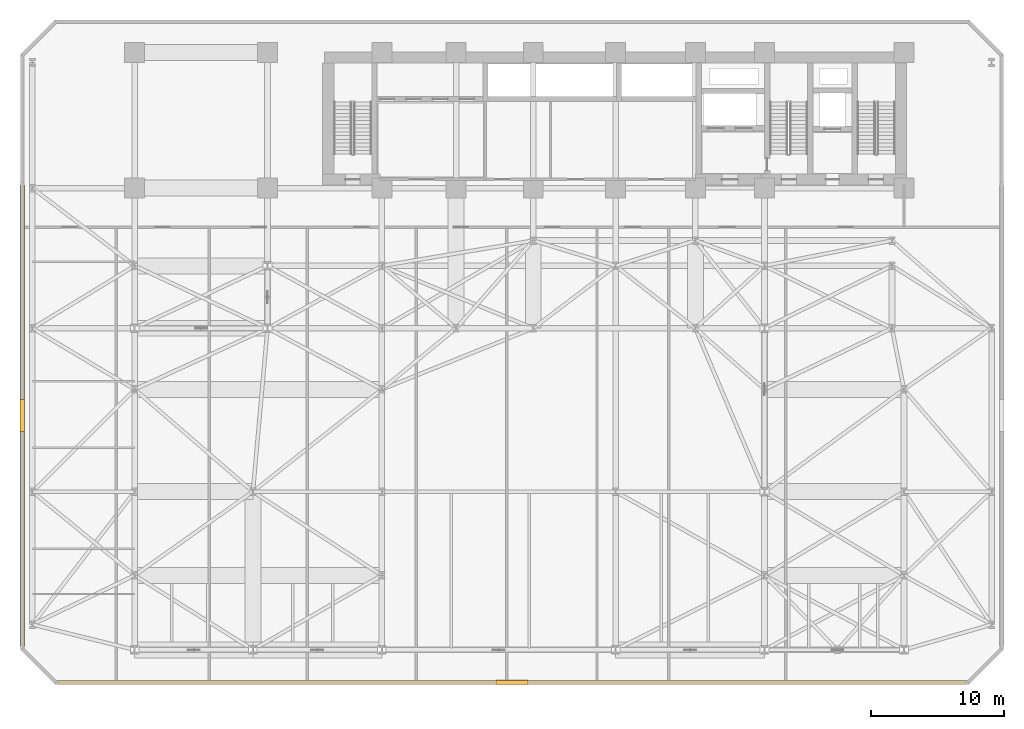
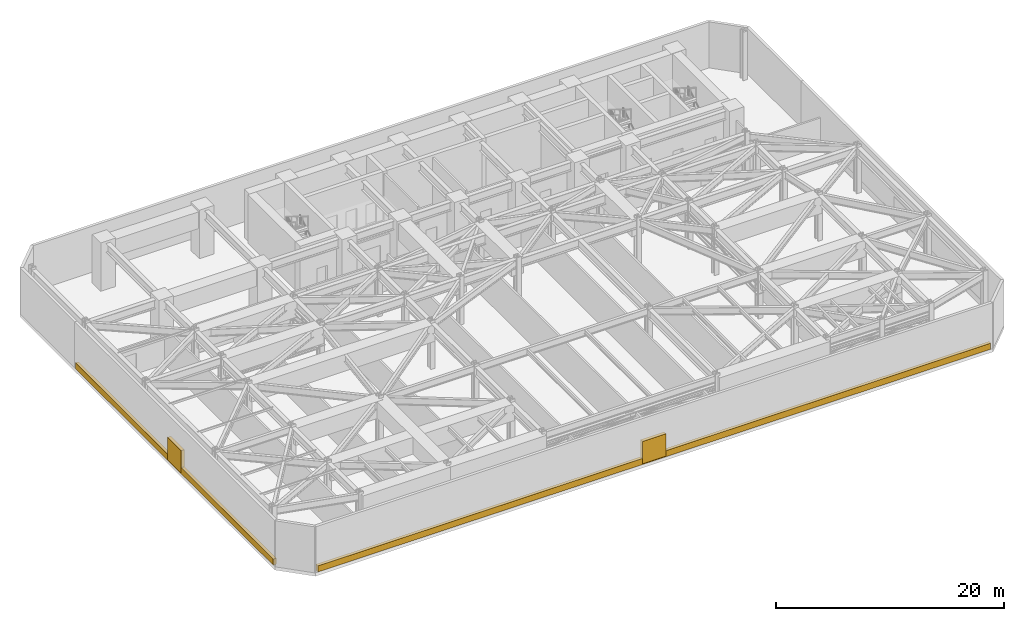
# One storey, part 10 of 14: 2 coverings, 2 shading devices.
"""IFC4 building model written with IfcOpenShell, lengths in metres."""

from ifc_helpers import new_model, si_unit, direction, frame, origin, origin_2d, place, context, subcontext, project, spatial, rectangle, extrude, material, layer, layer_set, type_object, element, save


model = new_model("IFC4")

# Units and contexts
model_context = context("Model", 3, precision=1e-05, world=origin(), true_north=direction((0.0, 1.0)))
body_context = subcontext(model_context, "Body", "Model", "MODEL_VIEW")
ifc_project = project(units=[si_unit("LENGTHUNIT", "METRE"), si_unit("AREAUNIT", "SQUARE_METRE"), si_unit("VOLUMEUNIT", "CUBIC_METRE"), si_unit("PLANEANGLEUNIT", "RADIAN"), si_unit("MASSUNIT", "GRAM", prefix="KILO")], contexts=[model_context])

# Site, building, storey
site_placement = place(None, origin())
site = spatial("IfcSite", under=ifc_project, at=site_placement, CompositionType="ELEMENT")
building_placement = place(site_placement, origin())
building = spatial("IfcBuilding", under=site, at=building_placement, Name="Kravanh Interchange Tower", CompositionType="ELEMENT")
storey_placement = place(building_placement, frame((0.0, 0.0, 24.300048828125)))
storey = spatial("IfcBuildingStorey", under=building, at=storey_placement, Name="L05", CompositionType="ELEMENT", Elevation=24.300048828125)

# Shading devices
ifc_material_1 = material(Name="Extruded Bronze Aluminium Acoustic Blades", Category="aluminium")
ifc_layer_1 = layer(ifc_material_1, 0.219970703125)
ifc_layer_set_1 = layer_set([ifc_layer_1], Name="Acoustic Weatherproof Plant Louvre Bank")
shading_device_type = type_object("IfcShadingDeviceType", Name="Acoustic Weatherproof Plant Louvre Bank", PredefinedType="JALOUSIE", material=ifc_layer_set_1)
for number, where, z_axis, x_axis, name in (
    (1, (0.139892578125, 20.22900390625, 0.10009765625), (0.0, 0.0, 1.0), (0.0, 1.0, 0.0), "L05 Exterior Acoustic Louvre 1"),
    (2, (37.0, 0.139892578125, 0.10009765625), (0.0, 0.0, 1.0), (-1.0, 0.0, 0.0), "L05 Exterior Acoustic Louvre 9"),
):
    element("IfcShadingDevice", number, at=place(storey_placement, frame(where, z_axis=z_axis, x_axis=x_axis)), inside=storey, type_object=shading_device_type, Name=name, PredefinedType="JALOUSIE", context=body_context, shape_type="SweptSolid", body=[
        extrude(rectangle(XDim=2.39990234375, YDim=0.340087890625, at=origin_2d()), origin(), (0.0, 0.0, 1.0), 2.39990234375),
    ])

# Coverings
ifc_material_2 = material(Name="Anodised Champagne Bronze Aluminium", Category="aluminium")
ifc_layer_2 = layer(ifc_material_2, 0.02490234375)
ifc_layer_set_2 = layer_set([ifc_layer_2], Name="Anodised Bronze Spandrel Fascia Cladding 25mm")
covering_type = type_object("IfcCoveringType", Name="Anodised Bronze Spandrel Fascia Cladding 25mm", PredefinedType="CLADDING", material=ifc_layer_set_2)
covering_1_placement = place(storey_placement, frame((0.139892578125, 20.22900390625, 0.02490234375), z_axis=(0.0, 0.0, 1.0), x_axis=(0.0, 1.0, 0.0)))
element("IfcCovering", 3, at=covering_1_placement, inside=storey, type_object=covering_type, Name="L05 Bronze Fascia Cladding 1", PredefinedType="CLADDING", context=body_context, shape_type="SweptSolid", body=[
    extrude(rectangle(XDim=34.741943359375, YDim=0.31005859375, at=origin_2d()), origin(), (0.0, 0.0, 1.0), 0.64990234375),
])
covering_2_placement = place(storey_placement, frame((37.0, 0.139892578125, 0.02490234375), z_axis=(0.0, 0.0, 1.0), x_axis=(-1.0, 0.0, 0.0)))
element("IfcCovering", 4, at=covering_2_placement, inside=storey, type_object=covering_type, Name="L05 Bronze Fascia Cladding 9", PredefinedType="CLADDING", context=body_context, shape_type="SweptSolid", body=[
    extrude(rectangle(XDim=68.283935546875, YDim=0.31005859375, at=origin_2d()), origin(), (0.0, 0.0, 1.0), 0.64990234375),
])

save(model, "model.ifc")
